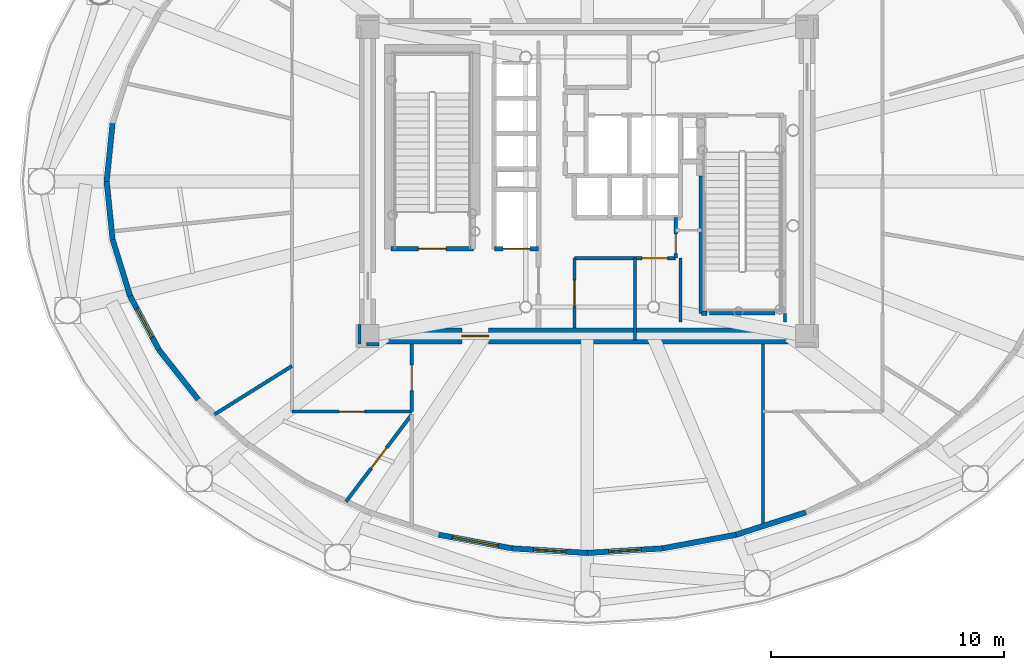
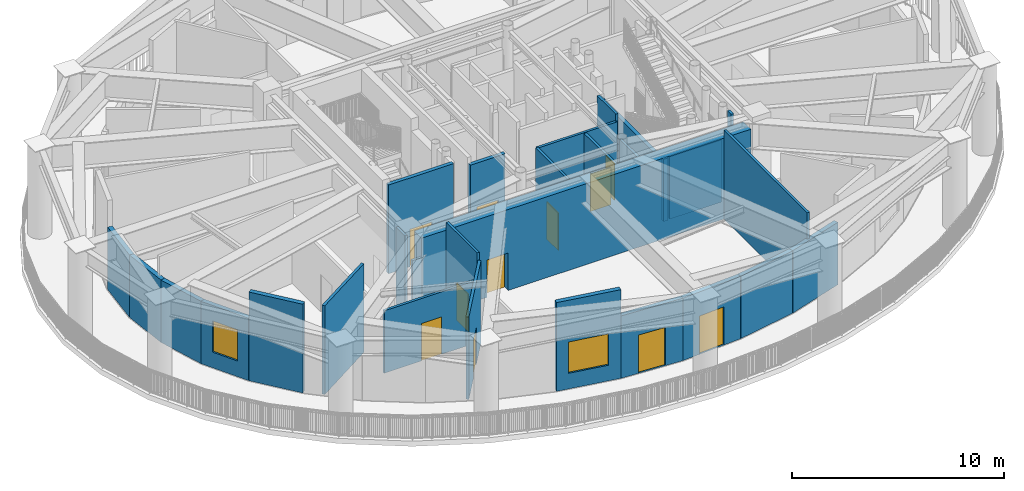
# One storey, part 4 of 14: 29 walls, 11 doors, 2 windows, 13 openings.
"""IFC4 building model written with IfcOpenShell, lengths in metres."""

from ifc_helpers import new_model, si_unit, direction, frame, frame_2d, origin, origin_2d, place, context, subcontext, project, spatial, rectangle, extrude, source, transform, mapped, material, layer, layer_set, type_object, element, fill, save


model = new_model("IFC4")

# Units and contexts
model_context = context("Model", 3, precision=1e-05, world=origin(), true_north=direction((0.0, 1.0)))
body_context = subcontext(model_context, "Body", "Model", "MODEL_VIEW")
ifc_project = project(units=[si_unit("LENGTHUNIT", "METRE"), si_unit("AREAUNIT", "SQUARE_METRE"), si_unit("VOLUMEUNIT", "CUBIC_METRE"), si_unit("PLANEANGLEUNIT", "RADIAN"), si_unit("MASSUNIT", "GRAM", prefix="KILO")], contexts=[model_context])

# Site, building, storey
site_placement = place(None, origin())
site = spatial("IfcSite", under=ifc_project, at=site_placement, CompositionType="ELEMENT")
building_placement = place(site_placement, origin())
building = spatial("IfcBuilding", under=site, at=building_placement, Name="Linh Dai School and Residence Tower", CompositionType="ELEMENT")
storey_placement = place(building_placement, frame((0.0, 0.0, 262.800048828125)))
storey = spatial("IfcBuildingStorey", under=building, at=storey_placement, Name="L65", CompositionType="ELEMENT", Elevation=262.800048828125)

# Walls
ifc_material_1 = material(Name="Precast Concrete B45 (C35/45)", Category="concrete")
ifc_layer_1 = layer(ifc_material_1, 0.239990234375)
ifc_layer_set_1 = layer_set([ifc_layer_1], Name="Precast Concrete B45 (C35/45)")
wall_type_1 = type_object("IfcWallType", Name="EW-TC-240", PredefinedType="SOLIDWALL", material=ifc_layer_set_1)
for number, where, z_axis, x_axis, name in (
    (1, (15.324951171875, 27.0, 0.0), (0.0, 0.0, 1.0), (0.101171468586, 0.994869003409, 0.0), "L65 Terracotta Exterior Wall 20"),
    (2, (15.57861328125, 24.505615234375, 0.0), (0.0, 0.0, 1.0), (-0.101171468586, 0.994869003409, 0.0), "L65 Terracotta Exterior Wall 21"),
):
    element("IfcWall", number, at=place(storey_placement, frame(where, z_axis=z_axis, x_axis=x_axis)), inside=storey, type_object=wall_type_1, Name=name, PredefinedType="SOLIDWALL", context=body_context, shape_type="SweptSolid", body=[
        extrude(rectangle(XDim=2.50732421875, YDim=0.239990234375, at=frame_2d((1.253662109375, 0.0))), origin(), (0.0, 0.0, 1.0), 3.5849609375),
    ])
wall_1_placement = place(storey_placement, frame((16.333251953125, 22.071533203125, 0.0), z_axis=(0.0, 0.0, 1.0), x_axis=(-0.296124991875, 0.955149197344, 0.0)))
element("IfcWall", 3, at=wall_1_placement, inside=storey, type_object=wall_type_1, Name="L65 Terracotta Exterior Wall 22", PredefinedType="SOLIDWALL", context=body_context, shape_type="SweptSolid", body=[
    extrude(rectangle(XDim=2.54833984375, YDim=0.239990234375, at=frame_2d((1.274169921875, 0.0))), origin(), (0.0, 0.0, 1.0), 3.5849609375),
])

# Wall, opening, window
wall_2_placement = place(storey_placement, frame((17.571533203125, 19.757080078125, 0.0), z_axis=(0.0, 0.0, 1.0), x_axis=(-0.47174643097, 0.881734259778, 0.0)))
wall_2 = element("IfcWall", 4, at=wall_2_placement, inside=storey, type_object=wall_type_1, Name="L65 Terracotta Exterior Wall 23", PredefinedType="SOLIDWALL", context=body_context, shape_type="SweptSolid", body=[
    extrude(rectangle(XDim=2.625, YDim=0.239990234375, at=frame_2d((1.3125, 0.0))), origin(), (0.0, 0.0, 1.0), 3.5849609375),
])
opening_1_placement = place(wall_2_placement, frame((0.6123046875, 0.0, 0.89990234375)))
opening_1 = element("IfcOpeningElement", 5, at=opening_1_placement, cuts=wall_2, Name="Opening W5", PredefinedType="OPENING", context=body_context, shape_type="SweptSolid", body=[
    extrude(rectangle(XDim=1.39990234375, YDim=1.800048828125, at=origin_2d()), frame((0.699951171875, 0.1298828125, 0.89990234375), z_axis=(0.0, -1.0, 0.0), x_axis=(1.0, 0.0, 0.0)), (0.0, 0.0, 1.0), 0.260009765625),
])
ifc_material_2 = material(Name="Anodised Aluminium Weather Louvre", Category="aluminium")
window_type = type_object("IfcWindowType", Name="WN-LV-2000x1800", PartitioningType="SINGLE_PANEL", PredefinedType="USERDEFINED", material=ifc_material_2)
shared_shape_1 = source(origin(), body_context, "Body", "SweptSolid", [
    extrude(rectangle(XDim=1.39990234375, YDim=1.800048828125, at=origin_2d()), frame((0.699951171875, 0.030029296875, 0.89990234375), z_axis=(0.0, -1.0, 0.0), x_axis=(1.0, 0.0, 0.0)), (0.0, 0.0, 1.0), 0.06005859375),
])
window_1_placement = place(opening_1_placement, origin())
window_1 = element("IfcWindow", 6, at=window_1_placement, inside=storey, type_object=window_type, Name="L65 Plant Weather Louvre 23", ObjectType="LOUVRE VENT", OverallHeight=1.800048828125, OverallWidth=1.39990234375, PartitioningType="SINGLE_PANEL", PredefinedType="USERDEFINED", context=body_context, shape_type="MappedRepresentation", body=[
    mapped(shared_shape_1, transform((0.0, 0.0, 0.0), x_axis=(1.0, 0.0, 0.0), y_axis=(0.0, 1.0, 0.0), z_axis=(0.0, 0.0, 1.0), scale=1.0)),
])
fill(opening_1, window_1)

# Wall
wall_3_placement = place(storey_placement, frame((19.263671875, 17.619140625, 0.0), z_axis=(0.0, 0.0, 1.0), x_axis=(-0.620613494193, 0.784116630882, 0.0)))
element("IfcWall", 7, at=wall_3_placement, inside=storey, type_object=wall_type_1, Name="L65 Terracotta Exterior Wall 24", PredefinedType="SOLIDWALL", context=body_context, shape_type="SweptSolid", body=[
    extrude(rectangle(XDim=2.7265625, YDim=0.239990234375, at=frame_2d((1.36328125, 0.0))), origin(), (0.0, 0.0, 1.0), 5.099853515625),
])

# Wall, opening, window
wall_4_placement = place(storey_placement, frame((32.761474609375, 11.21728515625, 0.0), z_axis=(0.0, 0.0, 1.0), x_axis=(-0.983155782133, 0.182769549048, 0.0)))
wall_4 = element("IfcWall", 8, at=wall_4_placement, inside=storey, type_object=wall_type_1, Name="L65 Terracotta Exterior Wall 29", PredefinedType="SOLIDWALL", context=body_context, shape_type="SweptSolid", body=[
    extrude(rectangle(XDim=3.212646484375, YDim=0.239990234375, at=frame_2d((1.6064453125, 0.0))), origin(), (0.0, 0.0, 1.0), 5.099853515625),
])
opening_2_placement = place(wall_4_placement, frame((0.606201171875, 0.0, 0.89990234375)))
opening_2 = element("IfcOpeningElement", 9, at=opening_2_placement, cuts=wall_4, Name="Opening W5", PredefinedType="OPENING", context=body_context, shape_type="SweptSolid", body=[
    extrude(rectangle(XDim=2.0, YDim=1.800048828125, at=origin_2d()), frame((1.0, 0.1298828125, 0.89990234375), z_axis=(0.0, -1.0, 0.0), x_axis=(1.0, 0.0, 0.0)), (0.0, 0.0, 1.0), 0.260009765625),
])
shared_shape_2 = source(origin(), body_context, "Body", "SweptSolid", [
    extrude(rectangle(XDim=2.0, YDim=1.800048828125, at=origin_2d()), frame((1.0, 0.030029296875, 0.89990234375), z_axis=(0.0, -1.0, 0.0), x_axis=(1.0, 0.0, 0.0)), (0.0, 0.0, 1.0), 0.06005859375),
])
window_2_placement = place(opening_2_placement, origin())
window_2 = element("IfcWindow", 10, at=window_2_placement, inside=storey, type_object=window_type, Name="L65 Plant Weather Louvre 29", ObjectType="LOUVRE VENT", OverallHeight=1.800048828125, OverallWidth=2.0, PartitioningType="SINGLE_PANEL", PredefinedType="USERDEFINED", context=body_context, shape_type="MappedRepresentation", body=[
    mapped(shared_shape_2, transform((0.0, 0.0, 0.0), x_axis=(1.0, 0.0, 0.0), y_axis=(0.0, 1.0, 0.0), z_axis=(0.0, 0.0, 1.0), scale=1.0)),
])
fill(opening_2, window_2)

# Wall, opening, door
wall_5_placement = place(storey_placement, frame((36.0, 11.02001953125, 0.0), z_axis=(0.0, 0.0, 1.0), x_axis=(-0.998149999918, 0.060799487368, 0.0)))
wall_5 = element("IfcWall", 11, at=wall_5_placement, inside=storey, type_object=wall_type_1, Name="L65 Terracotta Exterior Wall 30", PredefinedType="SOLIDWALL", context=body_context, shape_type="SweptSolid", body=[
    extrude(rectangle(XDim=3.24462890625, YDim=0.239990234375, at=frame_2d((1.622314453125, 0.0))), origin(), (0.0, 0.0, 1.0), 3.5849609375),
])
opening_3_placement = place(wall_5_placement, frame((0.92236328125, 0.0, 0.0)))
opening_3 = element("IfcOpeningElement", 12, at=opening_3_placement, cuts=wall_5, Name="Opening DD1", PredefinedType="OPENING", context=body_context, shape_type="SweptSolid", body=[
    extrude(rectangle(XDim=1.39990234375, YDim=2.199951171875, at=origin_2d()), frame((0.699951171875, 0.1298828125, 1.10009765625), z_axis=(0.0, -1.0, 0.0), x_axis=(1.0, 0.0, 0.0)), (0.0, 0.0, 1.0), 0.260009765625),
])
ifc_material_3 = material(Name="Glazed Aluminium Terrace Door", Category="aluminium")
door_type_1 = type_object("IfcDoorType", Name="DR-DECK-1400x2200", OperationType="NOTDEFINED", PredefinedType="DOOR", material=ifc_material_3)
shared_shape_3 = source(origin(), body_context, "Body", "SweptSolid", [
    extrude(rectangle(XDim=1.39990234375, YDim=2.199951171875, at=origin_2d()), frame((0.699951171875, 0.02490234375, 1.10009765625), z_axis=(0.0, -1.0, 0.0), x_axis=(1.0, 0.0, 0.0)), (0.0, 0.0, 1.0), 0.050048828125),
])
door_1_placement = place(opening_3_placement, origin())
door_1 = element("IfcDoor", 13, at=door_1_placement, inside=storey, type_object=door_type_1, Name="L65 Outdoor Terrace Access Door 30", OperationType="SINGLE_SWING_RIGHT", OverallHeight=2.199951171875, OverallWidth=1.39990234375, PredefinedType="DOOR", context=body_context, shape_type="MappedRepresentation", body=[
    mapped(shared_shape_3, transform((0.0, 0.0, 0.0), x_axis=(1.0, 0.0, 0.0), y_axis=(0.0, 1.0, 0.0), z_axis=(0.0, 0.0, 1.0), scale=1.0)),
])
fill(opening_3, door_1)

wall_6_placement = place(storey_placement, frame((39.238525390625, 11.21728515625, 0.0), z_axis=(0.0, 0.0, 1.0), x_axis=(-0.998149999918, -0.060799487368, 0.0)))
wall_6 = element("IfcWall", 14, at=wall_6_placement, inside=storey, type_object=wall_type_1, Name="L65 Terracotta Exterior Wall 31", PredefinedType="SOLIDWALL", context=body_context, shape_type="SweptSolid", body=[
    extrude(rectangle(XDim=3.24462890625, YDim=0.239990234375, at=frame_2d((1.622314453125, 0.0))), origin(), (0.0, 0.0, 1.0), 3.5849609375),
])
opening_4_placement = place(wall_6_placement, frame((0.92236328125, 0.0, 0.0)))
opening_4 = element("IfcOpeningElement", 15, at=opening_4_placement, cuts=wall_6, Name="Opening DD1", PredefinedType="OPENING", context=body_context, shape_type="SweptSolid", body=[
    extrude(rectangle(XDim=1.39990234375, YDim=2.199951171875, at=origin_2d()), frame((0.699951171875, 0.1298828125, 1.10009765625), z_axis=(0.0, -1.0, 0.0), x_axis=(1.0, 0.0, 0.0)), (0.0, 0.0, 1.0), 0.260009765625),
])
door_2_placement = place(opening_4_placement, origin())
door_2 = element("IfcDoor", 16, at=door_2_placement, inside=storey, type_object=door_type_1, Name="L65 Outdoor Terrace Access Door 31", OperationType="SINGLE_SWING_LEFT", OverallHeight=2.199951171875, OverallWidth=1.39990234375, PredefinedType="DOOR", context=body_context, shape_type="MappedRepresentation", body=[
    mapped(shared_shape_3, transform((0.0, 0.0, 0.0), x_axis=(1.0, 0.0, 0.0), y_axis=(0.0, 1.0, 0.0), z_axis=(0.0, 0.0, 1.0), scale=1.0)),
])
fill(opening_4, door_2)

# Walls
wall_7_placement = place(storey_placement, frame((42.39697265625, 11.804443359375, 0.0), z_axis=(0.0, 0.0, 1.0), x_axis=(-0.983155782133, -0.182769549048, 0.0)))
element("IfcWall", 17, at=wall_7_placement, inside=storey, type_object=wall_type_1, Name="L65 Terracotta Exterior Wall 32", PredefinedType="SOLIDWALL", context=body_context, shape_type="SweptSolid", body=[
    extrude(rectangle(XDim=3.212646484375, YDim=0.239990234375, at=frame_2d((1.6064453125, 0.0))), origin(), (0.0, 0.0, 1.0), 3.5849609375),
])
wall_8_placement = place(storey_placement, frame((45.397216796875, 12.7666015625, 0.0), z_axis=(0.0, 0.0, 1.0), x_axis=(-0.95223232308, -0.305374528868, 0.0)))
element("IfcWall", 18, at=wall_8_placement, inside=storey, type_object=wall_type_1, Name="L65 Terracotta Exterior Wall 33", PredefinedType="SOLIDWALL", context=body_context, shape_type="SweptSolid", body=[
    extrude(rectangle(XDim=3.150634765625, YDim=0.239990234375, at=frame_2d((1.5751953125, 0.0))), origin(), (0.0, 0.0, 1.0), 3.5849609375),
])

# Wall, opening, door
ifc_material_4 = material(Name="Autoclaved Aerated Concrete Blockwork", Category="masonry")
ifc_layer_2 = layer(ifc_material_4, 0.135009765625)
ifc_layer_set_2 = layer_set([ifc_layer_2], Name="Autoclaved Aerated Concrete Blockwork")
wall_type_2 = type_object("IfcWallType", Name="IW-CORR-135-EI90", PredefinedType="PARTITIONING", material=ifc_layer_set_2)
wall_9_placement = place(storey_placement, frame((23.300048828125, 17.10009765625, 0.0), z_axis=(0.0, 0.0, 1.0), x_axis=(1.0, 0.0, 0.0)))
wall_9 = element("IfcWall", 19, at=wall_9_placement, inside=storey, type_object=wall_type_2, Name="L65 Interior Partition Wall 006", PredefinedType="PARTITIONING", context=body_context, shape_type="SweptSolid", body=[
    extrude(rectangle(XDim=5.14990234375, YDim=0.135009765625, at=frame_2d((2.574951171875, 0.0))), origin(), (0.0, 0.0, 1.0), 3.5849609375),
])
opening_5_placement = place(wall_9_placement, frame((2.02490234375, 0.0, 0.0)))
opening_5 = element("IfcOpeningElement", 20, at=opening_5_placement, cuts=wall_9, Name="Opening D07", PredefinedType="OPENING", context=body_context, shape_type="SweptSolid", body=[
    extrude(rectangle(XDim=1.10009765625, YDim=2.14990234375, at=origin_2d()), frame((0.550048828125, 0.07763671875, 1.074951171875), z_axis=(0.0, -1.0, 0.0), x_axis=(1.0, 0.0, 0.0)), (0.0, 0.0, 1.0), 0.155029296875),
])
ifc_material_5 = material(Name="Fire-Rated Louvred Steel Plant Door", Category="steel")
door_type_2 = type_object("IfcDoorType", Name="DR-PLT-1100x2150-FD60S", OperationType="NOTDEFINED", PredefinedType="DOOR", material=ifc_material_5)
shared_shape_4 = source(origin(), body_context, "Body", "SweptSolid", [
    extrude(rectangle(XDim=1.10009765625, YDim=2.14990234375, at=origin_2d()), frame((0.550048828125, 0.02490234375, 1.074951171875), z_axis=(0.0, -1.0, 0.0), x_axis=(1.0, 0.0, 0.0)), (0.0, 0.0, 1.0), 0.050048828125),
])
door_3_placement = place(opening_5_placement, origin())
door_3 = element("IfcDoor", 21, at=door_3_placement, inside=storey, type_object=door_type_2, Name="L65 Stair Pressurisation Fan Plant Room Door", OperationType="SINGLE_SWING_RIGHT", OverallHeight=2.14990234375, OverallWidth=1.10009765625, PredefinedType="DOOR", context=body_context, shape_type="MappedRepresentation", body=[
    mapped(shared_shape_4, transform((0.0, 0.0, 0.0), x_axis=(1.0, 0.0, 0.0), y_axis=(0.0, 1.0, 0.0), z_axis=(0.0, 0.0, 1.0), scale=1.0)),
])
fill(opening_5, door_3)

wall_10_placement = place(storey_placement, frame((28.449951171875, 17.10009765625, 0.0), z_axis=(0.0, 0.0, 1.0), x_axis=(0.0, 1.0, 0.0)))
wall_10 = element("IfcWall", 22, at=wall_10_placement, inside=storey, type_object=wall_type_2, Name="L65 Interior Partition Wall 012", PredefinedType="PARTITIONING", context=body_context, shape_type="SweptSolid", body=[
    extrude(rectangle(XDim=2.89990234375, YDim=0.135009765625, at=frame_2d((1.449951171875, 0.0))), origin(), (0.0, 0.0, 1.0), 5.099853515625),
])
opening_6_placement = place(wall_10_placement, frame((0.89990234375, 0.0, 0.0)))
opening_6 = element("IfcOpeningElement", 23, at=opening_6_placement, cuts=wall_10, Name="Opening D07", PredefinedType="OPENING", context=body_context, shape_type="SweptSolid", body=[
    extrude(rectangle(XDim=1.10009765625, YDim=2.14990234375, at=origin_2d()), frame((0.550048828125, 0.07763671875, 1.074951171875), z_axis=(0.0, -1.0, 0.0), x_axis=(1.0, 0.0, 0.0)), (0.0, 0.0, 1.0), 0.155029296875),
])
door_4_placement = place(opening_6_placement, origin())
door_4 = element("IfcDoor", 24, at=door_4_placement, inside=storey, type_object=door_type_2, Name="L65 Pressurised Fire Refuge Area South Corridor Door", OperationType="SINGLE_SWING_LEFT", OverallHeight=2.14990234375, OverallWidth=1.10009765625, PredefinedType="DOOR", context=body_context, shape_type="MappedRepresentation", body=[
    mapped(shared_shape_4, transform((0.0, 0.0, 0.0), x_axis=(1.0, 0.0, 0.0), y_axis=(0.0, 1.0, 0.0), z_axis=(0.0, 0.0, 1.0), scale=1.0)),
])
fill(opening_6, door_4)

wall_11_placement = place(storey_placement, frame((35.449951171875, 20.699951171875, 0.0), z_axis=(0.0, 0.0, 1.0), x_axis=(0.0, 1.0, 0.0)))
wall_11 = element("IfcWall", 25, at=wall_11_placement, inside=storey, type_object=wall_type_2, Name="L65 Interior Partition Wall 029", PredefinedType="PARTITIONING", context=body_context, shape_type="SweptSolid", body=[
    extrude(rectangle(XDim=3.0, YDim=0.135009765625, at=frame_2d((1.5, 0.0))), origin(), (0.0, 0.0, 1.0), 4.68505859375),
])
opening_7_placement = place(wall_11_placement, frame((0.949951171875, 0.0, 0.0)))
opening_7 = element("IfcOpeningElement", 26, at=opening_7_placement, cuts=wall_11, Name="Opening D07", PredefinedType="OPENING", context=body_context, shape_type="SweptSolid", body=[
    extrude(rectangle(XDim=1.10009765625, YDim=2.14990234375, at=origin_2d()), frame((0.550048828125, 0.07763671875, 1.074951171875), z_axis=(0.0, -1.0, 0.0), x_axis=(1.0, 0.0, 0.0)), (0.0, 0.0, 1.0), 0.155029296875),
])
door_5_placement = place(opening_7_placement, origin())
door_5 = element("IfcDoor", 27, at=door_5_placement, inside=storey, type_object=door_type_2, Name="L65 Floor Electrical Switchroom Door", OperationType="SINGLE_SWING_LEFT", OverallHeight=2.14990234375, OverallWidth=1.10009765625, PredefinedType="DOOR", context=body_context, shape_type="MappedRepresentation", body=[
    mapped(shared_shape_4, transform((0.0, 0.0, 0.0), x_axis=(1.0, 0.0, 0.0), y_axis=(0.0, 1.0, 0.0), z_axis=(0.0, 0.0, 1.0), scale=1.0)),
])
fill(opening_7, door_5)

wall_12_placement = place(storey_placement, frame((35.449951171875, 23.699951171875, 0.0), z_axis=(0.0, 0.0, 1.0), x_axis=(1.0, 0.0, 0.0)))
wall_12 = element("IfcWall", 28, at=wall_12_placement, inside=storey, type_object=wall_type_2, Name="L65 Interior Partition Wall 030", PredefinedType="PARTITIONING", context=body_context, shape_type="SweptSolid", body=[
    extrude(rectangle(XDim=4.35009765625, YDim=0.135009765625, at=frame_2d((2.175048828125, 0.0))), origin(), (0.0, 0.0, 1.0), 4.68505859375),
])
opening_8_placement = place(wall_12_placement, frame((2.905029296875, 0.0, 0.0)))
opening_8 = element("IfcOpeningElement", 29, at=opening_8_placement, cuts=wall_12, Name="Opening D07", PredefinedType="OPENING", context=body_context, shape_type="SweptSolid", body=[
    extrude(rectangle(XDim=1.10009765625, YDim=2.14990234375, at=origin_2d()), frame((0.550048828125, 0.07763671875, 1.074951171875), z_axis=(0.0, -1.0, 0.0), x_axis=(1.0, 0.0, 0.0)), (0.0, 0.0, 1.0), 0.155029296875),
])
door_6_placement = place(opening_8_placement, origin())
door_6 = element("IfcDoor", 30, at=door_6_placement, inside=storey, type_object=door_type_2, Name="L65 Telecom Node Room Door", OperationType="SINGLE_SWING_RIGHT", OverallHeight=2.14990234375, OverallWidth=1.10009765625, PredefinedType="DOOR", context=body_context, shape_type="MappedRepresentation", body=[
    mapped(shared_shape_4, transform((0.0, 0.0, 0.0), x_axis=(1.0, 0.0, 0.0), y_axis=(0.0, 1.0, 0.0), z_axis=(0.0, 0.0, 1.0), scale=1.0)),
])
fill(opening_8, door_6)

wall_13_placement = place(storey_placement, frame((39.800048828125, 23.699951171875, 0.0), z_axis=(0.0, 0.0, 1.0), x_axis=(0.0, 1.0, 0.0)))
wall_13 = element("IfcWall", 31, at=wall_13_placement, inside=storey, type_object=wall_type_2, Name="L65 Interior Partition Wall 041", PredefinedType="PARTITIONING", context=body_context, shape_type="SweptSolid", body=[
    extrude(rectangle(XDim=1.75, YDim=0.135009765625, at=frame_2d((0.875, 0.0))), origin(), (0.0, 0.0, 1.0), 5.099853515625),
])
opening_9_placement = place(wall_13_placement, frame((0.2099609375, 0.0, 0.0)))
opening_9 = element("IfcOpeningElement", 32, at=opening_9_placement, cuts=wall_13, Name="Opening D06", PredefinedType="OPENING", context=body_context, shape_type="SweptSolid", body=[
    extrude(rectangle(XDim=0.820068359375, YDim=2.10009765625, at=origin_2d()), frame((0.41015625, 0.07763671875, 1.050048828125), z_axis=(0.0, -1.0, 0.0), x_axis=(1.0, 0.0, 0.0)), (0.0, 0.0, 1.0), 0.155029296875),
])
ifc_material_6 = material(Name="Moisture-Resistant Timber Bathroom Door", Category="wood")
door_type_3 = type_object("IfcDoorType", Name="DR-WET-820x2100", OperationType="NOTDEFINED", PredefinedType="DOOR", material=ifc_material_6)
shared_shape_5 = source(origin(), body_context, "Body", "SweptSolid", [
    extrude(rectangle(XDim=0.820068359375, YDim=2.10009765625, at=origin_2d()), frame((0.41015625, 0.02490234375, 1.050048828125), z_axis=(0.0, -1.0, 0.0), x_axis=(1.0, 0.0, 0.0)), (0.0, 0.0, 1.0), 0.050048828125),
])
door_7_placement = place(opening_9_placement, origin())
door_7 = element("IfcDoor", 33, at=door_7_placement, inside=storey, type_object=door_type_3, Name="L65 SE Electrical Closet Door", OperationType="SINGLE_SWING_RIGHT", OverallHeight=2.10009765625, OverallWidth=0.820068359375, PredefinedType="DOOR", context=body_context, shape_type="MappedRepresentation", body=[
    mapped(shared_shape_5, transform((0.0, 0.0, 0.0), x_axis=(1.0, 0.0, 0.0), y_axis=(0.0, 1.0, 0.0), z_axis=(0.0, 0.0, 1.0), scale=1.0)),
])
fill(opening_9, door_7)

# Walls
wall_14_placement = place(storey_placement, frame((43.550048828125, 12.1689453125, 0.0), z_axis=(0.0, 0.0, 1.0), x_axis=(0.0, 1.0, 0.0)))
element("IfcWall", 34, at=wall_14_placement, inside=storey, type_object=wall_type_2, Name="L65 Interior Partition Wall 047", PredefinedType="PARTITIONING", context=body_context, shape_type="SweptSolid", body=[
    extrude(rectangle(XDim=7.8310546875, YDim=0.135009765625, at=frame_2d((3.91552734375, 0.0))), origin(), (0.0, 0.0, 1.0), 5.099853515625),
])
wall_15_placement = place(storey_placement, frame((44.080078125, 21.330078125, 0.0), z_axis=(0.0, 0.0, 1.0), x_axis=(-1.0, 0.0, 0.0)))
element("IfcWall", 35, at=wall_15_placement, inside=storey, type_object=wall_type_2, Name="L65 Interior Partition Wall 056", PredefinedType="PARTITIONING", context=body_context, shape_type="SweptSolid", body=[
    extrude(rectangle(XDim=2.820068359375, YDim=0.135009765625, at=frame_2d((1.41015625, 0.0))), origin(), (0.0, 0.0, 1.0), 3.5849609375),
])
wall_16_placement = place(storey_placement, frame((40.0, 23.699951171875, 0.0), z_axis=(0.0, 0.0, 1.0), x_axis=(0.0, -1.0, 0.0)))
element("IfcWall", 36, at=wall_16_placement, inside=storey, type_object=wall_type_2, Name="L65 Interior Partition Wall 058", PredefinedType="PARTITIONING", context=body_context, shape_type="SweptSolid", body=[
    extrude(rectangle(XDim=2.739990234375, YDim=0.135009765625, at=frame_2d((1.3701171875, 0.0))), origin(), (0.0, 0.0, 1.0), 3.5849609375),
])
wall_17_placement = place(storey_placement, frame((44.5, 20.9599609375, 0.0), z_axis=(0.0, 0.0, 1.0), x_axis=(0.0, 1.0, 0.0)))
element("IfcWall", 37, at=wall_17_placement, inside=storey, type_object=wall_type_2, Name="L65 Interior Partition Wall 060", PredefinedType="PARTITIONING", context=body_context, shape_type="SweptSolid", body=[
    extrude(rectangle(XDim=0.360107421875, YDim=0.135009765625, at=frame_2d((0.18017578125, 0.0))), origin(), (0.0, 0.0, 1.0), 5.099853515625),
])
wall_18_placement = place(storey_placement, frame((26.199951171875, 20.840087890625, 0.0), z_axis=(0.0, 0.0, 1.0), x_axis=(0.0, -1.0, 0.0)))
element("IfcWall", 38, at=wall_18_placement, inside=storey, type_object=wall_type_2, Name="L65 Interior Partition Wall 064", PredefinedType="PARTITIONING", context=body_context, shape_type="SweptSolid", body=[
    extrude(rectangle(XDim=0.840087890625, YDim=0.135009765625, at=frame_2d((0.419921875, 0.0))), origin(), (0.0, 0.0, 1.0), 5.099853515625),
])
wall_19_placement = place(storey_placement, frame((26.507568359375, 20.0, 0.0), z_axis=(0.0, 0.0, 1.0), x_axis=(1.0, 0.0, 0.0)))
element("IfcWall", 39, at=wall_19_placement, inside=storey, type_object=wall_type_2, Name="L65 Interior Partition Wall 065", PredefinedType="PARTITIONING", context=body_context, shape_type="SweptSolid", body=[
    extrude(rectangle(XDim=0.532470703125, YDim=0.135009765625, at=frame_2d((0.26611328125, 0.0))), origin(), (0.0, 0.0, 1.0), 3.5849609375),
])
ifc_layer_3 = layer(ifc_material_4, 0.14990234375)
ifc_layer_set_3 = layer_set([ifc_layer_3], Name="Autoclaved Aerated Concrete Blockwork")
wall_type_3 = type_object("IfcWallType", Name="IW-SCH-150-EI60", PredefinedType="PARTITIONING", material=ifc_layer_set_3)
wall_20_placement = place(storey_placement, frame((19.962646484375, 16.978759765625, 0.0), z_axis=(0.0, 0.0, 1.0), x_axis=(0.848047093633, 0.529920868603, 0.0)))
element("IfcWall", 40, at=wall_20_placement, inside=storey, type_object=wall_type_3, Name="L65 Interior Partition Wall 004", PredefinedType="PARTITIONING", context=body_context, shape_type="SweptSolid", body=[
    extrude(rectangle(XDim=3.935302734375, YDim=0.14990234375, at=frame_2d((1.9677734375, 0.0))), origin(), (0.0, 0.0, 1.0), 5.099853515625),
])

# Wall, opening, door
wall_21_placement = place(storey_placement, frame((25.62109375, 13.226806640625, 0.0), z_axis=(0.0, 0.0, 1.0), x_axis=(0.601826714874, 0.798626699569, 0.0)))
wall_21 = element("IfcWall", 41, at=wall_21_placement, inside=storey, type_object=wall_type_3, Name="L65 Interior Partition Wall 008", PredefinedType="PARTITIONING", context=body_context, shape_type="SweptSolid", body=[
    extrude(rectangle(XDim=4.700439453125, YDim=0.14990234375, at=frame_2d((2.35009765625, 0.0))), origin(), (0.0, 0.0, 1.0), 4.724853515625),
])
opening_10_placement = place(wall_21_placement, frame((1.80029296875, 0.0, 0.0)))
opening_10 = element("IfcOpeningElement", 42, at=opening_10_placement, cuts=wall_21, Name="Opening D07", PredefinedType="OPENING", context=body_context, shape_type="SweptSolid", body=[
    extrude(rectangle(XDim=1.10009765625, YDim=2.14990234375, at=origin_2d()), frame((0.550048828125, 0.0849609375, 1.074951171875), z_axis=(0.0, -1.0, 0.0), x_axis=(1.0, 0.0, 0.0)), (0.0, 0.0, 1.0), 0.169921875),
])
door_8_placement = place(opening_10_placement, origin())
door_8 = element("IfcDoor", 43, at=door_8_placement, inside=storey, type_object=door_type_2, Name="L65 Smoke Extract Fan Plant Room Door", OperationType="SINGLE_SWING_LEFT", OverallHeight=2.14990234375, OverallWidth=1.10009765625, PredefinedType="DOOR", context=body_context, shape_type="MappedRepresentation", body=[
    mapped(shared_shape_4, transform((0.0, 0.0, 0.0), x_axis=(1.0, 0.0, 0.0), y_axis=(0.0, 1.0, 0.0), z_axis=(0.0, 0.0, 1.0), scale=1.0)),
])
fill(opening_10, door_8)

# Wall
wall_22_placement = place(storey_placement, frame((38.050048828125, 20.179931640625, 0.0), z_axis=(0.0, 0.0, 1.0), x_axis=(0.0, 1.0, 0.0)))
element("IfcWall", 44, at=wall_22_placement, inside=storey, type_object=wall_type_3, Name="L65 Interior Partition Wall 039", PredefinedType="PARTITIONING", context=body_context, shape_type="SweptSolid", body=[
    extrude(rectangle(XDim=3.52001953125, YDim=0.14990234375, at=frame_2d((1.760009765625, 0.0))), origin(), (0.0, 0.0, 1.0), 4.635009765625),
])

# Wall, opening, door
ifc_material_7 = material(Name="Concrete B45 (C35/45)", Category="concrete")
ifc_layer_4 = layer(ifc_material_7, 0.199951171875)
ifc_layer_set_4 = layer_set([ifc_layer_4], Name="Concrete B45 (C35/45)")
wall_type_4 = type_object("IfcWallType", Name="IW-SHAFT-200-EI120", PredefinedType="PARTITIONING", material=ifc_layer_set_4)
wall_23_placement = place(storey_placement, frame((27.56005859375, 24.10009765625, 0.0), z_axis=(0.0, 0.0, 1.0), x_axis=(1.0, 0.0, 0.0)))
wall_23 = element("IfcWall", 45, at=wall_23_placement, inside=storey, type_object=wall_type_4, Name="L65 Interior Partition Wall 010", PredefinedType="PARTITIONING", context=body_context, shape_type="SweptSolid", body=[
    extrude(rectangle(XDim=3.5400390625, YDim=0.199951171875, at=frame_2d((1.77001953125, 0.0))), origin(), (0.0, 0.0, 1.0), 5.099853515625),
])
opening_11_placement = place(wall_23_placement, frame((1.169921875, 0.0, 0.0)))
opening_11 = element("IfcOpeningElement", 46, at=opening_11_placement, cuts=wall_23, Name="Opening D01", PredefinedType="OPENING", context=body_context, shape_type="SweptSolid", body=[
    extrude(rectangle(XDim=1.199951171875, YDim=2.14990234375, at=origin_2d()), frame((0.60009765625, 0.10986328125, 1.074951171875), z_axis=(0.0, -1.0, 0.0), x_axis=(1.0, 0.0, 0.0)), (0.0, 0.0, 1.0), 0.219970703125),
])
ifc_material_8 = material(Name="Fire-Rated Steel Door Leaf", Category="steel")
door_type_4 = type_object("IfcDoorType", Name="DR-STAIR-1200x2150-FD90S", OperationType="NOTDEFINED", PredefinedType="DOOR", material=ifc_material_8)
shared_shape_6 = source(origin(), body_context, "Body", "SweptSolid", [
    extrude(rectangle(XDim=1.199951171875, YDim=2.14990234375, at=origin_2d()), frame((0.60009765625, 0.02490234375, 1.074951171875), z_axis=(0.0, -1.0, 0.0), x_axis=(1.0, 0.0, 0.0)), (0.0, 0.0, 1.0), 0.050048828125),
])
door_9_placement = place(opening_11_placement, origin())
door_9 = element("IfcDoor", 47, at=door_9_placement, inside=storey, type_object=door_type_4, Name="L65 Core Smokeproof Exit Stair ST1 Door", OperationType="SINGLE_SWING_LEFT", OverallHeight=2.14990234375, OverallWidth=1.199951171875, PredefinedType="DOOR", context=body_context, shape_type="MappedRepresentation", body=[
    mapped(shared_shape_6, transform((0.0, 0.0, 0.0), x_axis=(1.0, 0.0, 0.0), y_axis=(0.0, 1.0, 0.0), z_axis=(0.0, 0.0, 1.0), scale=1.0)),
])
fill(opening_11, door_9)

wall_24_placement = place(storey_placement, frame((32.0, 24.10009765625, 0.0), z_axis=(0.0, 0.0, 1.0), x_axis=(1.0, 0.0, 0.0)))
wall_24 = element("IfcWall", 48, at=wall_24_placement, inside=storey, type_object=wall_type_4, Name="L65 Interior Partition Wall 017", PredefinedType="PARTITIONING", context=body_context, shape_type="SweptSolid", body=[
    extrude(rectangle(XDim=1.89990234375, YDim=0.199951171875, at=frame_2d((0.949951171875, 0.0))), origin(), (0.0, 0.0, 1.0), 4.68505859375),
])
opening_12_placement = place(wall_24_placement, frame((0.375, 0.0, 0.0)))
opening_12 = element("IfcOpeningElement", 49, at=opening_12_placement, cuts=wall_24, Name="Opening LD-FF2", PredefinedType="OPENING", context=body_context, shape_type="SweptSolid", body=[
    extrude(rectangle(XDim=1.14990234375, YDim=2.14990234375, at=origin_2d()), frame((0.574951171875, 0.10986328125, 1.074951171875), z_axis=(0.0, -1.0, 0.0), x_axis=(1.0, 0.0, 0.0)), (0.0, 0.0, 1.0), 0.219970703125),
])
ifc_material_9 = material(Name="Fire-Rated Stainless Steel Firefighting Lift Door", Category="steel")
door_type_5 = type_object("IfcDoorType", Name="DR-LD-FF-1150x2150-FD120", OperationType="DOUBLE_DOOR_SLIDING", PredefinedType="USERDEFINED", material=ifc_material_9)
shared_shape_7 = source(origin(), body_context, "Body", "SweptSolid", [
    extrude(rectangle(XDim=1.14990234375, YDim=2.14990234375, at=origin_2d()), frame((0.574951171875, 0.02490234375, 1.074951171875), z_axis=(0.0, -1.0, 0.0), x_axis=(1.0, 0.0, 0.0)), (0.0, 0.0, 1.0), 0.050048828125),
])
door_10_placement = place(opening_12_placement, origin())
door_10 = element("IfcDoor", 50, at=door_10_placement, inside=storey, type_object=door_type_5, Name="L65 Lift FF2 Sliding Landing Door", ObjectType="LANDING DOOR", OperationType="DOUBLE_DOOR_SLIDING", OverallHeight=2.14990234375, OverallWidth=1.14990234375, PredefinedType="USERDEFINED", context=body_context, shape_type="MappedRepresentation", body=[
    mapped(shared_shape_7, transform((0.0, 0.0, 0.0), x_axis=(1.0, 0.0, 0.0), y_axis=(0.0, 1.0, 0.0), z_axis=(0.0, 0.0, 1.0), scale=1.0)),
])
fill(opening_12, door_10)

# Walls
wall_25_placement = place(storey_placement, frame((40.89990234375, 21.330078125, 0.0), z_axis=(0.0, 0.0, 1.0), x_axis=(0.0, 1.0, 0.0)))
element("IfcWall", 51, at=wall_25_placement, inside=storey, type_object=wall_type_4, Name="L65 Interior Partition Wall 045", PredefinedType="PARTITIONING", context=body_context, shape_type="SweptSolid", body=[
    extrude(rectangle(XDim=5.909912109375, YDim=0.199951171875, at=frame_2d((2.955078125, 0.0))), origin(), (0.0, 0.0, 1.0), 3.5849609375),
])
wall_26_placement = place(storey_placement, frame((40.89990234375, 21.330078125, 0.0), z_axis=(0.0, 0.0, 1.0), x_axis=(1.0, 0.0, 0.0)))
element("IfcWall", 52, at=wall_26_placement, inside=storey, type_object=wall_type_4, Name="L65 Interior Partition Wall 046", PredefinedType="PARTITIONING", context=body_context, shape_type="SweptSolid", body=[
    extrude(rectangle(XDim=0.25, YDim=0.199951171875, at=frame_2d((0.125, 0.0))), origin(), (0.0, 0.0, 1.0), 3.5849609375),
])

# Wall, opening, door
ifc_layer_5 = layer(ifc_material_7, 0.699951171875)
ifc_layer_set_5 = layer_set([ifc_layer_5], Name="Concrete B45 (C35/45)")
wall_type_5 = type_object("IfcWallType", Name="WL-CORE700", PredefinedType="SHEAR", material=ifc_layer_set_5)
wall_27_placement = place(storey_placement, frame((44.949951171875, 20.35009765625, 0.0), z_axis=(0.0, 0.0, 1.0), x_axis=(-1.0, 0.0, 0.0)))
wall_27 = element("IfcWall", 53, at=wall_27_placement, inside=storey, type_object=wall_type_5, Name="L65 Central Core Shear Wall S", PredefinedType="SHEAR", context=body_context, shape_type="SweptSolid", body=[
    extrude(rectangle(XDim=17.89990234375, YDim=0.699951171875, at=frame_2d((8.949951171875, 0.0))), origin(), (0.0, 0.0, 1.0), 4.64990234375),
])
opening_13_placement = place(wall_27_placement, frame((13.199951171875, 0.0, 0.0)))
opening_13 = element("IfcOpeningElement", 54, at=opening_13_placement, cuts=wall_27, Name="Opening D02", PredefinedType="OPENING", context=body_context, shape_type="SweptSolid", body=[
    extrude(rectangle(XDim=1.14990234375, YDim=2.14990234375, at=origin_2d()), frame((0.574951171875, 0.35986328125, 1.074951171875), z_axis=(0.0, -1.0, 0.0), x_axis=(1.0, 0.0, 0.0)), (0.0, 0.0, 1.0), 0.719970703125),
])
ifc_material_10 = material(Name="Fire-Rated Glazed Steel Lobby Door", Category="steel")
door_type_6 = type_object("IfcDoorType", Name="DR-LOBBY-1150x2150-FD90S", OperationType="NOTDEFINED", PredefinedType="DOOR", material=ifc_material_10)
shared_shape_8 = source(origin(), body_context, "Body", "SweptSolid", [
    extrude(rectangle(XDim=1.14990234375, YDim=2.14990234375, at=origin_2d()), frame((0.574951171875, 0.02490234375, 1.074951171875), z_axis=(0.0, -1.0, 0.0), x_axis=(1.0, 0.0, 0.0)), (0.0, 0.0, 1.0), 0.050048828125),
])
door_11_placement = place(opening_13_placement, origin())
door_11 = element("IfcDoor", 55, at=door_11_placement, inside=storey, type_object=door_type_6, Name="L65 Refuge Lobby Access Door", OperationType="SINGLE_SWING_RIGHT", OverallHeight=2.14990234375, OverallWidth=1.14990234375, PredefinedType="DOOR", context=body_context, shape_type="MappedRepresentation", body=[
    mapped(shared_shape_8, transform((0.0, 0.0, 0.0), x_axis=(1.0, 0.0, 0.0), y_axis=(0.0, 1.0, 0.0), z_axis=(0.0, 0.0, 1.0), scale=1.0)),
])
fill(opening_13, door_11)

save(model, "model.ifc")
